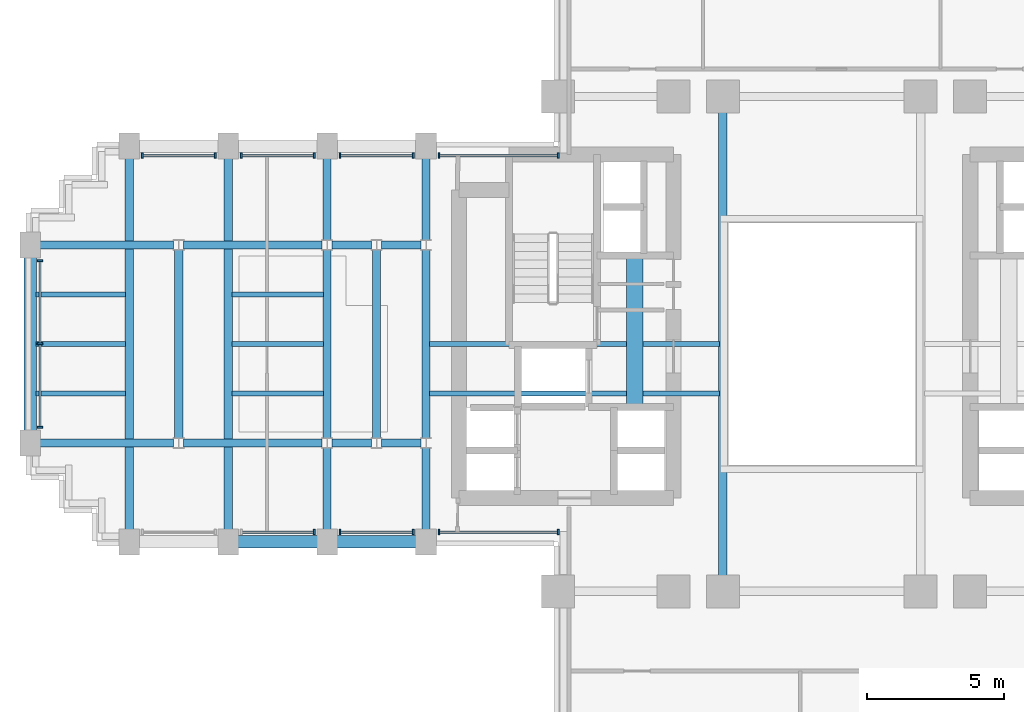
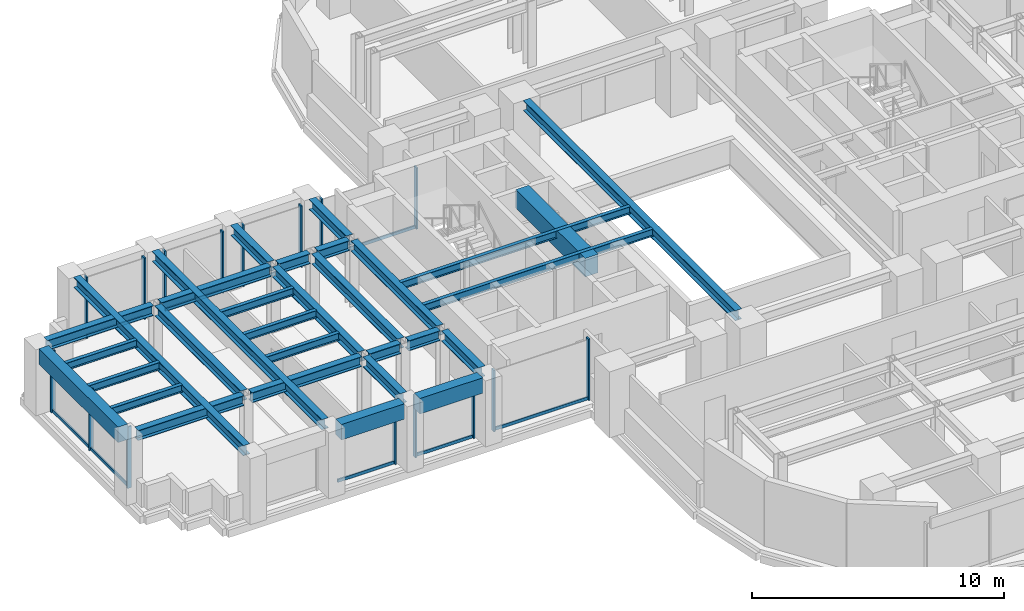
# One storey, part 4 of 16: 31 beams, 25 members, 8 elements without a shape of their own.
"""IFC4 building model written with IfcOpenShell, lengths in metres."""

import ifcopenshell
import ifcopenshell.guid

model = None  # the IFC model being written
_history = None  # IfcOwnerHistory: only IFC2X3 demands one
_inside = {}  # id of a spatial element -> (the spatial element, [elements in it])
_under = {}  # id of a project, library or spatial element -> (it, [spatial elements below it])
_declared = {}  # id of a project -> (the project, [libraries it declares])
_typed = {}  # id of a type object -> (the type object, [elements of that type])
_made_of = {}  # id of a material, layer set ... -> (it, [elements and type objects made of it])


def new_model(schema):
    """Start an empty IFC model of exactly this schema.

    Asked for "IFC4X3", IfcOpenShell would pick the latest addendum, in which some entities
    have other attributes; the version numbers below select the first issue.
    IFC2X3 requires an IfcOwnerHistory on every rooted entity: one is made here for all.
    """
    global model, _history
    if schema == "IFC4X3":
        model = ifcopenshell.file(schema_version=(4, 3, 0, 0))
    else:
        model = ifcopenshell.file(schema=schema)
    _inside.clear()
    _under.clear()
    _declared.clear()
    _typed.clear()
    _made_of.clear()
    _history = None
    if model.schema == "IFC2X3":
        org = make("IfcOrganization", Name="unknown")
        user = make(
            "IfcPersonAndOrganization",
            ThePerson=make("IfcPerson", FamilyName="unknown"),
            TheOrganization=org,
        )
        app = make(
            "IfcApplication",
            ApplicationDeveloper=org,
            Version="unknown",
            ApplicationFullName="unknown",
            ApplicationIdentifier="unknown",
        )
        _history = make(
            "IfcOwnerHistory",
            OwningUser=user,
            OwningApplication=app,
            ChangeAction="ADDED",
            CreationDate=0,
        )
    return model


def make(cls, **values):
    """One entity of the class cls with the attributes given. An attribute that is None is left unset."""
    return model.create_entity(
        cls, **{name: value for name, value in values.items() if value is not None}
    )


def rooted(cls, **values):
    """An entity with a GlobalId (a new one), such as an element, a storey or a relation."""
    return make(cls, GlobalId=ifcopenshell.guid.new(), OwnerHistory=_history, **values)


def si_unit(unit_type, name, prefix=None):
    """IfcSIUnit, for example si_unit("LENGTHUNIT", "METRE", prefix="MILLI")."""
    return make("IfcSIUnit", UnitType=unit_type, Prefix=prefix, Name=name)


def assignment(units):
    """IfcUnitAssignment: the units of a project."""
    return None if units is None else make("IfcUnitAssignment", Units=units)


def point(xyz):
    """IfcCartesianPoint."""
    return None if xyz is None else make("IfcCartesianPoint", Coordinates=xyz)


def direction(xyz):
    """IfcDirection."""
    return None if xyz is None else make("IfcDirection", DirectionRatios=xyz)


def frame(location, z_axis=None, x_axis=None):
    """IfcAxis2Placement3D, a coordinate frame: its origin and axes. An axis left out is left unset."""
    return make(
        "IfcAxis2Placement3D",
        Location=point(location),
        Axis=direction(z_axis),
        RefDirection=direction(x_axis),
    )


def frame_2d(location, x_axis=None):
    """IfcAxis2Placement2D, a coordinate frame in the plane: its origin and x axis."""
    return make(
        "IfcAxis2Placement2D", Location=point(location), RefDirection=direction(x_axis)
    )


def origin():
    """The frame at (0, 0, 0) with its axes left unset."""
    return frame((0.0, 0.0, 0.0))


def origin_2d():
    """The frame at (0, 0) in the plane with its x axis left unset."""
    return frame_2d((0.0, 0.0))


def place(relative_to, where):
    """IfcLocalPlacement: puts the frame where relative to a parent placement (None: the world)."""
    return make(
        "IfcLocalPlacement", PlacementRelTo=relative_to, RelativePlacement=where
    )


def context(
    kind, dimensions, precision=None, world=None, true_north=None, identifier=None
):
    """IfcGeometricRepresentationContext, for example the 3D "Model" context."""
    return make(
        "IfcGeometricRepresentationContext",
        ContextIdentifier=identifier,
        ContextType=kind,
        CoordinateSpaceDimension=dimensions,
        Precision=precision,
        WorldCoordinateSystem=world,
        TrueNorth=true_north,
    )


def subcontext(parent, identifier, kind, view, scale=None):
    """IfcGeometricRepresentationSubContext, for example "Body" below "Model"."""
    return make(
        "IfcGeometricRepresentationSubContext",
        ContextIdentifier=identifier,
        ContextType=kind,
        ParentContext=parent,
        TargetScale=scale,
        TargetView=view,
    )


def project(units=None, contexts=None):
    """IfcProject with its units and contexts."""
    return rooted(
        "IfcProject",
        Name="project",
        RepresentationContexts=contexts,
        UnitsInContext=assignment(units),
    )


def spatial(cls, under=None, at=None, **own):
    """A site, building, storey or space (cls), placed at a placement, below another one or the project."""
    s = rooted(cls, ObjectPlacement=at, **own)
    if under is not None:
        _under.setdefault(under.id(), (under, []))[1].append(s)
    return s


def profile(cls, at=None, kind="AREA", **sizes):
    """A parametric profile (cls). Its sizes go by their IFC names, for example OverallWidth=200.0."""
    return make(cls, ProfileType=kind, Position=at, **sizes)


def rectangle(**sizes):
    """IfcRectangleProfileDef."""
    return profile("IfcRectangleProfileDef", **sizes)


def i_section(**sizes):
    """IfcIShapeProfileDef."""
    return profile("IfcIShapeProfileDef", **sizes)


def extrude(swept, where, along, depth):
    """IfcExtrudedAreaSolid: the profile swept, set in the frame where, extruded along a direction by depth."""
    return make(
        "IfcExtrudedAreaSolid",
        SweptArea=swept,
        Position=where,
        ExtrudedDirection=direction(along),
        Depth=depth,
    )


def shape(context_of_items, identifier, shape_type, items):
    """IfcShapeRepresentation: the items that make up one representation, for example the "Body"."""
    return make(
        "IfcShapeRepresentation",
        ContextOfItems=context_of_items,
        RepresentationIdentifier=identifier,
        RepresentationType=shape_type,
        Items=items,
    )


def source(mapping_origin, context_of_items, identifier, shape_type, items):
    """IfcRepresentationMap: a shape defined once, which mapped items show again and again."""
    return make(
        "IfcRepresentationMap",
        MappingOrigin=mapping_origin,
        MappedRepresentation=shape(context_of_items, identifier, shape_type, items),
    )


def transform(
    local_origin,
    x_axis=None,
    y_axis=None,
    z_axis=None,
    scale=None,
    scale2=None,
    scale3=None,
    uniform=True,
):
    """IfcCartesianTransformationOperator3D, or its non-uniform kind. x_axis, y_axis, z_axis: its Axis1, 2, 3."""
    if uniform:
        return make(
            "IfcCartesianTransformationOperator3D",
            Axis1=direction(x_axis),
            Axis2=direction(y_axis),
            LocalOrigin=point(local_origin),
            Scale=scale,
            Axis3=direction(z_axis),
        )
    return make(
        "IfcCartesianTransformationOperator3DnonUniform",
        Axis1=direction(x_axis),
        Axis2=direction(y_axis),
        LocalOrigin=point(local_origin),
        Scale=scale,
        Axis3=direction(z_axis),
        Scale2=scale2,
        Scale3=scale3,
    )


def mapped(mapping_source, mapping_target):
    """IfcMappedItem: shows the shape of a source again, moved by a transform."""
    return make(
        "IfcMappedItem", MappingSource=mapping_source, MappingTarget=mapping_target
    )


def material(Name=None, Category=None):
    """IfcMaterial."""
    return make("IfcMaterial", Name=Name, Category=Category)


def material_profile(
    of_material, cross_section, Name=None, Category=None, Priority=None
):
    """IfcMaterialProfile: a cross section and its material."""
    return make(
        "IfcMaterialProfile",
        Name=Name,
        Material=of_material,
        Profile=cross_section,
        Priority=Priority,
        Category=Category,
    )


def profile_set(profiles, Name=None, composite=None):
    """IfcMaterialProfileSet."""
    return make(
        "IfcMaterialProfileSet",
        Name=Name,
        MaterialProfiles=profiles,
        CompositeProfile=composite,
    )


def made_of(thing, what):
    """Note that an element or type object is made of a material, layer set ...; save() writes the relation."""
    if what is not None:
        _made_of.setdefault(what.id(), (what, []))[1].append(thing)
    return thing


def type_object(cls, material=None, **own):
    """A type object (cls), such as IfcWallType, which elements share."""
    return made_of(rooted(cls, **own), material)


def element(
    cls,
    number,
    at=None,
    inside=None,
    cuts=None,
    type_object=None,
    material=None,
    context=None,
    identifier="Body",
    shape_type=None,
    held_by="IfcProductDefinitionShape",
    body=None,
    shapes=None,
    **own,
):
    """One element of the class cls, such as IfcWall. Its Tag is "e" and its number.

    at: its placement. inside: the storey or other place that contains it. cuts: it is an
    opening in that element (IfcRelVoidsElement). A single representation is given by context,
    identifier, shape_type and body (its items); several are given by shapes. held_by: the class
    of the entity that holds the representations. save() writes the other relations.
    """
    e = rooted(cls, Tag="e%d" % number, ObjectPlacement=at, **own)
    if body is not None:
        shapes = [shape(context, identifier, shape_type, body)]
    if shapes is not None:
        e.Representation = make(held_by, Representations=shapes)
    if inside is not None:
        _inside.setdefault(inside.id(), (inside, []))[1].append(e)
    if cuts is not None:
        rooted(
            "IfcRelVoidsElement", RelatingBuildingElement=cuts, RelatedOpeningElement=e
        )
    if type_object is not None:
        _typed.setdefault(type_object.id(), (type_object, []))[1].append(e)
    return made_of(e, material)


def aggregate(whole, parts):
    """IfcRelAggregates: a whole, such as a stair, and the parts it consists of."""
    return rooted("IfcRelAggregates", RelatingObject=whole, RelatedObjects=parts)


def save(model, path):
    """Write the relations noted so far, then the file.

    IfcRelAggregates (storeys below a building ...), IfcRelContainedInSpatialStructure (elements
    in a storey), IfcRelDefinesByType, IfcRelAssociatesMaterial and IfcRelDeclares: one each for
    every whole, place, type object, material and project.
    """
    for whole, parts in _under.values():
        aggregate(whole, parts)
    for where, things in _inside.values():
        rooted(
            "IfcRelContainedInSpatialStructure",
            RelatedElements=things,
            RelatingStructure=where,
        )
    for kind, things in _typed.values():
        rooted("IfcRelDefinesByType", RelatedObjects=things, RelatingType=kind)
    for what, things in _made_of.values():
        rooted("IfcRelAssociatesMaterial", RelatedObjects=things, RelatingMaterial=what)
    for by, libraries in _declared.values():
        rooted("IfcRelDeclares", RelatingContext=by, RelatedDefinitions=libraries)
    model.write(path)


model = new_model("IFC4")

# Units and contexts
model_context = context("Model", 3, precision=1e-05, world=origin(), true_north=direction((0.0, 1.0)))
body_context = subcontext(model_context, "Body", "Model", "MODEL_VIEW")
ifc_project = project(units=[si_unit("LENGTHUNIT", "METRE"), si_unit("AREAUNIT", "SQUARE_METRE"), si_unit("VOLUMEUNIT", "CUBIC_METRE"), si_unit("PLANEANGLEUNIT", "RADIAN"), si_unit("MASSUNIT", "GRAM", prefix="KILO")], contexts=[model_context])

# Site, building, storey
site_placement = place(None, origin())
site = spatial("IfcSite", under=ifc_project, at=site_placement, CompositionType="ELEMENT")
building_placement = place(site_placement, origin())
building = spatial("IfcBuilding", under=site, at=building_placement, Name="Keilestroom Media Tower", CompositionType="ELEMENT")
storey_placement = place(building_placement, frame((0.0, 0.0, 81.60009765625)))
storey = spatial("IfcBuildingStorey", under=building, at=storey_placement, Name="L21", CompositionType="ELEMENT", Elevation=81.60009765625)

# Beams
ifc_material_1 = material(Name="Concrete C70/85", Category="concrete")
ifc_material_profile_1 = material_profile(ifc_material_1, rectangle(XDim=0.60009765625, YDim=0.89990234375, at=origin_2d()), Name="RC 600x900")
ifc_profile_set_1 = profile_set([ifc_material_profile_1], Name="Concrete C70/85")
beam_type_1 = type_object("IfcBeamType", Name="Core-Coupling-Lintel-Beam-RC-600x900", PredefinedType="LINTEL", material=ifc_profile_set_1)
shared_shape_1 = source(origin(), body_context, "Body", "SweptSolid", [
    extrude(rectangle(XDim=0.60009765625, YDim=0.89990234375, at=origin_2d()), origin(), (0.0, 0.0, 1.0), 5.52001953125),
])
beam_1_placement = place(storey_placement, frame((-6.800048828125, -2.300048828125, 2.75), z_axis=(0.0, 1.0, 0.0), x_axis=(-1.0, 0.0, 0.0)))
element("IfcBeam", 1, at=beam_1_placement, inside=storey, type_object=beam_type_1, Name="L21 Beam CLB-1 CLB-L21-W", PredefinedType="LINTEL", context=body_context, shape_type="MappedRepresentation", body=[
    mapped(shared_shape_1, transform((0.0, 0.0, 0.0), x_axis=(1.0, 0.0, 0.0), y_axis=(0.0, 1.0, 0.0), z_axis=(0.0, 0.0, 1.0), scale=1.0)),
])
ifc_material_2 = material(Name="Precast concrete C40/50", Category="concrete")
ifc_material_profile_2 = material_profile(ifc_material_2, rectangle(XDim=0.449951171875, YDim=0.75, at=origin_2d()), Name="PC 450x750")
ifc_profile_set_2 = profile_set([ifc_material_profile_2], Name="Precast concrete C40/50")
beam_type_2 = type_object("IfcBeamType", Name="Perimeter-Spandrel-Beam-PC-450x750", PredefinedType="SPANDREL", material=ifc_profile_set_2)
shared_shape_2 = source(origin(), body_context, "Body", "SweptSolid", [
    extrude(rectangle(XDim=0.449951171875, YDim=0.75, at=origin_2d()), origin(), (0.0, 0.0, 1.0), 6.2900390625),
])
beam_2_placement = place(storey_placement, frame((-28.800048828125, -3.14501953125, 2.824951171875), z_axis=(0.0, 1.0, 0.0), x_axis=(-1.0, 0.0, 0.0)))
element("IfcBeam", 2, at=beam_2_placement, inside=storey, type_object=beam_type_2, Name="L21 Beam SPB-1 BM-L21-NS-051", PredefinedType="SPANDREL", context=body_context, shape_type="MappedRepresentation", body=[
    mapped(shared_shape_2, transform((0.0, 0.0, 0.0), x_axis=(1.0, 0.0, 0.0), y_axis=(0.0, 1.0, 0.0), z_axis=(0.0, 0.0, 1.0), scale=1.0)),
])
shared_shape_3 = source(origin(), body_context, "Body", "SweptSolid", [
    extrude(rectangle(XDim=0.449951171875, YDim=0.75, at=origin_2d()), origin(), (0.0, 0.0, 1.0), 2.89013671875),
])
for number, where, z_axis, x_axis, name in (
    (3, (-21.2451171875, -7.199951171875, 2.824951171875), (1.0, 0.0, 0.0), (0.0, 1.0, 0.0), "L21 Beam SPB-1 BM-L21-EW-013"),
    (4, (-17.64501953125, -7.199951171875, 2.824951171875), (1.0, 0.0, 0.0), (0.0, 1.0, 0.0), "L21 Beam SPB-1 BM-L21-EW-014"),
):
    element("IfcBeam", number, at=place(storey_placement, frame(where, z_axis=z_axis, x_axis=x_axis)), inside=storey, type_object=beam_type_2, Name=name, PredefinedType="SPANDREL", context=body_context, shape_type="MappedRepresentation", body=[
        mapped(shared_shape_3, transform((0.0, 0.0, 0.0), x_axis=(1.0, 0.0, 0.0), y_axis=(0.0, 1.0, 0.0), z_axis=(0.0, 0.0, 1.0), scale=1.0)),
    ])
ifc_material_3 = material(Name="Steel S355", Category="steel")
ifc_material_profile_3 = material_profile(ifc_material_3, i_section(OverallWidth=0.300048828125, OverallDepth=0.5, WebThickness=0.012451171875, FlangeThickness=0.028076171875, at=origin_2d()), Name="HEB 500")
ifc_profile_set_3 = profile_set([ifc_material_profile_3], Name="Steel S355")
beam_type_3 = type_object("IfcBeamType", Name="Primary-Structural-Girder-HEB-500", PredefinedType="BEAM", material=ifc_profile_set_3)
shared_shape_4 = source(origin(), body_context, "Body", "SweptSolid", [
    extrude(i_section(OverallWidth=0.300048828125, OverallDepth=0.5, WebThickness=0.012451171875, FlangeThickness=0.028076171875, at=origin_2d()), origin(), (0.0, 0.0, 1.0), 13.490234375),
])
for number, where, z_axis, x_axis, name in (
    (5, (-25.199951171875, -6.7451171875, 2.949951171875), (0.0, 1.0, 0.0), (-1.0, 0.0, 0.0), "L21 Beam BG-6 BM-L21-NS-052"),
    (6, (-21.60009765625, -6.7451171875, 2.949951171875), (0.0, 1.0, 0.0), (-1.0, 0.0, 0.0), "L21 Beam BG-6 BM-L21-NS-054"),
):
    element("IfcBeam", number, at=place(storey_placement, frame(where, z_axis=z_axis, x_axis=x_axis)), inside=storey, type_object=beam_type_3, Name=name, PredefinedType="BEAM", context=body_context, shape_type="MappedRepresentation", body=[
        mapped(shared_shape_4, transform((0.0, 0.0, 0.0), x_axis=(1.0, 0.0, 0.0), y_axis=(0.0, 1.0, 0.0), z_axis=(0.0, 0.0, 1.0), scale=1.0)),
    ])
shared_shape_5 = source(origin(), body_context, "Body", "SweptSolid", [
    extrude(i_section(OverallWidth=0.300048828125, OverallDepth=0.5, WebThickness=0.012451171875, FlangeThickness=0.028076171875, at=origin_2d()), origin(), (0.0, 0.0, 1.0), 6.8330078125),
])
for number, where, z_axis, x_axis, name in (
    (7, (-23.39990234375, -3.41650390625, 2.949951171875), (0.0, 1.0, 0.0), (-1.0, 0.0, 0.0), "L21 Beam BG-6 BM-L21-NS-053"),
    (8, (-18.0, -3.41650390625, 2.949951171875), (0.0, 1.0, 0.0), (-1.0, 0.0, 0.0), "L21 Beam BG-6 BM-L21-NS-056"),
    (9, (-16.199951171875, -3.41650390625, 2.949951171875), (0.0, 1.0, 0.0), (-1.0, 0.0, 0.0), "L21 Beam BG-6 BM-L21-NS-058"),
    (10, (-14.39990234375, -3.41650390625, 2.949951171875), (0.0, 1.0, 0.0), (-1.0, 0.0, 0.0), "L21 Beam BG-6 BM-L21-NS-060"),
):
    element("IfcBeam", number, at=place(storey_placement, frame(where, z_axis=z_axis, x_axis=x_axis)), inside=storey, type_object=beam_type_3, Name=name, PredefinedType="BEAM", context=body_context, shape_type="MappedRepresentation", body=[
        mapped(shared_shape_5, transform((0.0, 0.0, 0.0), x_axis=(1.0, 0.0, 0.0), y_axis=(0.0, 1.0, 0.0), z_axis=(0.0, 0.0, 1.0), scale=1.0)),
    ])
shared_shape_6 = source(origin(), body_context, "Body", "SweptSolid", [
    extrude(i_section(OverallWidth=0.300048828125, OverallDepth=0.5, WebThickness=0.012451171875, FlangeThickness=0.028076171875, at=origin_2d()), origin(), (0.0, 0.0, 1.0), 2.961669921875),
])
for number, where, z_axis, x_axis, name in (
    (11, (-18.0, -6.7451171875, 2.949951171875), (0.0, 1.0, 0.0), (-1.0, 0.0, 0.0), "L21 Beam BG-6 BM-L21-NS-055"),
    (12, (-18.0, 3.783447265625, 2.949951171875), (0.0, 1.0, 0.0), (-1.0, 0.0, 0.0), "L21 Beam BG-6 BM-L21-NS-057"),
    (13, (-14.39990234375, -6.7451171875, 2.949951171875), (0.0, 1.0, 0.0), (-1.0, 0.0, 0.0), "L21 Beam BG-6 BM-L21-NS-059"),
    (14, (-14.39990234375, 3.783447265625, 2.949951171875), (0.0, 1.0, 0.0), (-1.0, 0.0, 0.0), "L21 Beam BG-6 BM-L21-NS-061"),
):
    element("IfcBeam", number, at=place(storey_placement, frame(where, z_axis=z_axis, x_axis=x_axis)), inside=storey, type_object=beam_type_3, Name=name, PredefinedType="BEAM", context=body_context, shape_type="MappedRepresentation", body=[
        mapped(shared_shape_6, transform((0.0, 0.0, 0.0), x_axis=(1.0, 0.0, 0.0), y_axis=(0.0, 1.0, 0.0), z_axis=(0.0, 0.0, 1.0), scale=1.0)),
    ])
shared_shape_7 = source(origin(), body_context, "Body", "SweptSolid", [
    extrude(i_section(OverallWidth=0.300048828125, OverallDepth=0.5, WebThickness=0.012451171875, FlangeThickness=0.028076171875, at=origin_2d()), origin(), (0.0, 0.0, 1.0), 16.83984375),
])
beam_3_placement = place(storey_placement, frame((-3.60009765625, -8.419921875, 2.949951171875), z_axis=(0.0, 1.0, 0.0), x_axis=(-1.0, 0.0, 0.0)))
element("IfcBeam", 15, at=beam_3_placement, inside=storey, type_object=beam_type_3, Name="L21 Beam BG-6 BM-L21-NS-066", PredefinedType="BEAM", context=body_context, shape_type="MappedRepresentation", body=[
    mapped(shared_shape_7, transform((0.0, 0.0, 0.0), x_axis=(1.0, 0.0, 0.0), y_axis=(0.0, 1.0, 0.0), z_axis=(0.0, 0.0, 1.0), scale=1.0)),
])
ifc_material_profile_4 = material_profile(ifc_material_3, i_section(OverallWidth=0.300048828125, OverallDepth=0.489990234375, WebThickness=0.011962890625, FlangeThickness=0.02294921875, at=origin_2d()), Name="HEA 500")
ifc_profile_set_4 = profile_set([ifc_material_profile_4], Name="Steel S355")
beam_type_4 = type_object("IfcBeamType", Name="Primary-Structural-Girder-HEA-500", PredefinedType="BEAM", material=ifc_profile_set_4)
shared_shape_8 = source(origin(), body_context, "Body", "SweptSolid", [
    extrude(i_section(OverallWidth=0.300048828125, OverallDepth=0.489990234375, WebThickness=0.011962890625, FlangeThickness=0.02294921875, at=origin_2d()), origin(), (0.0, 0.0, 1.0), 4.863037109375),
])
for number, where, z_axis, x_axis, name in (
    (16, (-28.445068359375, -3.60009765625, 2.954833984375), (1.0, 0.0, 0.0), (0.0, 1.0, 0.0), "L21 Beam BG-10 BM-L21-EW-018"),
    (17, (-28.445068359375, 3.60009765625, 2.954833984375), (1.0, 0.0, 0.0), (0.0, 1.0, 0.0), "L21 Beam BG-10 BM-L21-EW-026"),
):
    element("IfcBeam", number, at=place(storey_placement, frame(where, z_axis=z_axis, x_axis=x_axis)), inside=storey, type_object=beam_type_4, Name=name, PredefinedType="BEAM", context=body_context, shape_type="MappedRepresentation", body=[
        mapped(shared_shape_8, transform((0.0, 0.0, 0.0), x_axis=(1.0, 0.0, 0.0), y_axis=(0.0, 1.0, 0.0), z_axis=(0.0, 0.0, 1.0), scale=1.0)),
    ])
shared_shape_9 = source(origin(), body_context, "Body", "SweptSolid", [
    extrude(i_section(OverallWidth=0.300048828125, OverallDepth=0.489990234375, WebThickness=0.011962890625, FlangeThickness=0.02294921875, at=origin_2d()), origin(), (0.0, 0.0, 1.0), 5.0361328125),
])
for number, where, z_axis, x_axis, name in (
    (18, (-23.218017578125, -3.60009765625, 2.954833984375), (1.0, 0.0, 0.0), (0.0, 1.0, 0.0), "L21 Beam BG-10 BM-L21-EW-019"),
    (19, (-23.218017578125, 3.60009765625, 2.954833984375), (1.0, 0.0, 0.0), (0.0, 1.0, 0.0), "L21 Beam BG-10 BM-L21-EW-027"),
):
    element("IfcBeam", number, at=place(storey_placement, frame(where, z_axis=z_axis, x_axis=x_axis)), inside=storey, type_object=beam_type_4, Name=name, PredefinedType="BEAM", context=body_context, shape_type="MappedRepresentation", body=[
        mapped(shared_shape_9, transform((0.0, 0.0, 0.0), x_axis=(1.0, 0.0, 0.0), y_axis=(0.0, 1.0, 0.0), z_axis=(0.0, 0.0, 1.0), scale=1.0)),
    ])
shared_shape_10 = source(origin(), body_context, "Body", "SweptSolid", [
    extrude(i_section(OverallWidth=0.300048828125, OverallDepth=0.489990234375, WebThickness=0.011962890625, FlangeThickness=0.02294921875, at=origin_2d()), origin(), (0.0, 0.0, 1.0), 1.43603515625),
])
for number, where, z_axis, x_axis, name in (
    (20, (-17.818115234375, -3.60009765625, 2.954833984375), (1.0, 0.0, 0.0), (0.0, 1.0, 0.0), "L21 Beam BG-10 BM-L21-EW-020"),
    (21, (-16.01806640625, -3.60009765625, 2.954833984375), (1.0, 0.0, 0.0), (0.0, 1.0, 0.0), "L21 Beam BG-10 BM-L21-EW-021"),
    (22, (-17.818115234375, 3.60009765625, 2.954833984375), (1.0, 0.0, 0.0), (0.0, 1.0, 0.0), "L21 Beam BG-10 BM-L21-EW-028"),
    (23, (-16.01806640625, 3.60009765625, 2.954833984375), (1.0, 0.0, 0.0), (0.0, 1.0, 0.0), "L21 Beam BG-10 BM-L21-EW-029"),
):
    element("IfcBeam", number, at=place(storey_placement, frame(where, z_axis=z_axis, x_axis=x_axis)), inside=storey, type_object=beam_type_4, Name=name, PredefinedType="BEAM", context=body_context, shape_type="MappedRepresentation", body=[
        mapped(shared_shape_10, transform((0.0, 0.0, 0.0), x_axis=(1.0, 0.0, 0.0), y_axis=(0.0, 1.0, 0.0), z_axis=(0.0, 0.0, 1.0), scale=1.0)),
    ])
ifc_material_profile_5 = material_profile(ifc_material_3, i_section(OverallWidth=0.169921875, OverallDepth=0.360107421875, WebThickness=0.008056640625, FlangeThickness=0.0126953125, at=origin_2d()), Name="IPE 360")
ifc_profile_set_5 = profile_set([ifc_material_profile_5], Name="Steel S355")
beam_type_5 = type_object("IfcBeamType", Name="Secondary-Floor-Joist-IPE-360", PredefinedType="JOIST", material=ifc_profile_set_5)
shared_shape_11 = source(origin(), body_context, "Body", "SweptSolid", [
    extrude(i_section(OverallWidth=0.169921875, OverallDepth=0.360107421875, WebThickness=0.008056640625, FlangeThickness=0.0126953125, at=origin_2d()), origin(), (0.0, 0.0, 1.0), 3.264892578125),
])
for number, where, z_axis, x_axis, name in (
    (24, (-28.594970703125, -1.800048828125, 3.02001953125), (1.0, 0.0, 0.0), (0.0, 1.0, 0.0), "L21 Beam BJ-5 JST-L21-089"),
    (25, (-28.594970703125, 0.0, 3.02001953125), (1.0, 0.0, 0.0), (0.0, 1.0, 0.0), "L21 Beam BJ-5 JST-L21-096"),
    (26, (-28.594970703125, 1.800048828125, 3.02001953125), (1.0, 0.0, 0.0), (0.0, 1.0, 0.0), "L21 Beam BJ-5 JST-L21-103"),
):
    element("IfcBeam", number, at=place(storey_placement, frame(where, z_axis=z_axis, x_axis=x_axis)), inside=storey, type_object=beam_type_5, Name=name, PredefinedType="JOIST", context=body_context, shape_type="MappedRepresentation", body=[
        mapped(shared_shape_11, transform((0.0, 0.0, 0.0), x_axis=(1.0, 0.0, 0.0), y_axis=(0.0, 1.0, 0.0), z_axis=(0.0, 0.0, 1.0), scale=1.0)),
    ])
shared_shape_12 = source(origin(), body_context, "Body", "SweptSolid", [
    extrude(i_section(OverallWidth=0.169921875, OverallDepth=0.360107421875, WebThickness=0.008056640625, FlangeThickness=0.0126953125, at=origin_2d()), origin(), (0.0, 0.0, 1.0), 3.340087890625),
])
for number, where, z_axis, x_axis, name in (
    (27, (-21.469970703125, -1.800048828125, 3.02001953125), (1.0, 0.0, 0.0), (0.0, 1.0, 0.0), "L21 Beam BJ-5 JST-L21-090"),
    (28, (-21.469970703125, 0.0, 3.02001953125), (1.0, 0.0, 0.0), (0.0, 1.0, 0.0), "L21 Beam BJ-5 JST-L21-097"),
    (29, (-21.469970703125, 1.800048828125, 3.02001953125), (1.0, 0.0, 0.0), (0.0, 1.0, 0.0), "L21 Beam BJ-5 JST-L21-104"),
):
    element("IfcBeam", number, at=place(storey_placement, frame(where, z_axis=z_axis, x_axis=x_axis)), inside=storey, type_object=beam_type_5, Name=name, PredefinedType="JOIST", context=body_context, shape_type="MappedRepresentation", body=[
        mapped(shared_shape_12, transform((0.0, 0.0, 0.0), x_axis=(1.0, 0.0, 0.0), y_axis=(0.0, 1.0, 0.0), z_axis=(0.0, 0.0, 1.0), scale=1.0)),
    ])
shared_shape_13 = source(origin(), body_context, "Body", "SweptSolid", [
    extrude(i_section(OverallWidth=0.169921875, OverallDepth=0.360107421875, WebThickness=0.008056640625, FlangeThickness=0.0126953125, at=origin_2d()), origin(), (0.0, 0.0, 1.0), 10.5400390625),
])
for number, where, z_axis, x_axis, name in (
    (30, (-14.27001953125, -1.800048828125, 3.02001953125), (1.0, 0.0, 0.0), (0.0, 1.0, 0.0), "L21 Beam BJ-5 JST-L21-091"),
    (31, (-14.27001953125, 0.0, 3.02001953125), (1.0, 0.0, 0.0), (0.0, 1.0, 0.0), "L21 Beam BJ-5 JST-L21-098"),
):
    element("IfcBeam", number, at=place(storey_placement, frame(where, z_axis=z_axis, x_axis=x_axis)), inside=storey, type_object=beam_type_5, Name=name, PredefinedType="JOIST", context=body_context, shape_type="MappedRepresentation", body=[
        mapped(shared_shape_13, transform((0.0, 0.0, 0.0), x_axis=(1.0, 0.0, 0.0), y_axis=(0.0, 1.0, 0.0), z_axis=(0.0, 0.0, 1.0), scale=1.0)),
    ])

# Curtain wall, members
ifc_material_4 = material(Name="Anodised Aluminium Alloy", Category="aluminium")
curtain_wall_type = type_object("IfcCurtainWallType", Name="Unitised-Curtain-Wall-CW-1", PredefinedType="NOTDEFINED", material=ifc_material_4)
curtain_wall_1_placement = place(storey_placement, origin())
curtain_wall_1 = element("IfcCurtainWall", 32, at=curtain_wall_1_placement, inside=storey, type_object=curtain_wall_type, Name="L21 Curtain Wall CW-1 CW-L21-W-1", PredefinedType="NOTDEFINED")
ifc_material_profile_6 = material_profile(ifc_material_4, rectangle(XDim=0.070068359375, YDim=0.199951171875, at=origin_2d()), Name="ALU MULLION 70x200")
ifc_profile_set_6 = profile_set([ifc_material_profile_6], Name="Anodised Aluminium Alloy")
member_type_1 = type_object("IfcMemberType", Name="Curtain-Wall-Mullion-CW-1", PredefinedType="MULLION", material=ifc_profile_set_6)
shared_shape_14 = source(origin(), body_context, "Body", "SweptSolid", [
    extrude(rectangle(XDim=0.070068359375, YDim=0.199951171875, at=origin_2d()), origin(), (0.0, 0.0, 1.0), 2.97998046875),
])
member_1_placement = place(storey_placement, frame((-28.449951171875, -3.030029296875, 0.0), z_axis=(0.0, 0.0, 1.0), x_axis=(0.0, 1.0, 0.0)))
member_1 = element("IfcMember", 33, at=member_1_placement, type_object=member_type_1, Name="CW-1 Mullion 00", PredefinedType="MULLION", context=body_context, shape_type="MappedRepresentation", body=[
    mapped(shared_shape_14, transform((0.0, 0.0, 0.0), x_axis=(1.0, 0.0, 0.0), y_axis=(0.0, 1.0, 0.0), z_axis=(0.0, 0.0, 1.0), scale=1.0)),
])
member_2_placement = place(storey_placement, frame((-28.449951171875, 0.0, 0.0), z_axis=(0.0, 0.0, 1.0), x_axis=(0.0, 1.0, 0.0)))
member_2 = element("IfcMember", 34, at=member_2_placement, type_object=member_type_1, Name="CW-1 Mullion 01", PredefinedType="MULLION", context=body_context, shape_type="MappedRepresentation", body=[
    mapped(shared_shape_14, transform((0.0, 0.0, 0.0), x_axis=(1.0, 0.0, 0.0), y_axis=(0.0, 1.0, 0.0), z_axis=(0.0, 0.0, 1.0), scale=1.0)),
])
member_3_placement = place(storey_placement, frame((-28.449951171875, 3.030029296875, 0.0), z_axis=(0.0, 0.0, 1.0), x_axis=(0.0, 1.0, 0.0)))
member_3 = element("IfcMember", 35, at=member_3_placement, type_object=member_type_1, Name="CW-1 Mullion 02", PredefinedType="MULLION", context=body_context, shape_type="MappedRepresentation", body=[
    mapped(shared_shape_14, transform((0.0, 0.0, 0.0), x_axis=(1.0, 0.0, 0.0), y_axis=(0.0, 1.0, 0.0), z_axis=(0.0, 0.0, 1.0), scale=1.0)),
])

curtain_wall_2_placement = place(storey_placement, origin())
curtain_wall_2 = element("IfcCurtainWall", 36, at=curtain_wall_2_placement, inside=storey, type_object=curtain_wall_type, Name="L21 Curtain Wall CW-1 CW-L21-NW-1", PredefinedType="NOTDEFINED")
member_4_placement = place(storey_placement, frame((-24.72998046875, 6.85009765625, 0.0), z_axis=(0.0, 0.0, 1.0), x_axis=(1.0, 0.0, 0.0)))
member_4 = element("IfcMember", 37, at=member_4_placement, type_object=member_type_1, Name="CW-1 Mullion 00", PredefinedType="MULLION", context=body_context, shape_type="MappedRepresentation", body=[
    mapped(shared_shape_14, transform((0.0, 0.0, 0.0), x_axis=(1.0, 0.0, 0.0), y_axis=(0.0, 1.0, 0.0), z_axis=(0.0, 0.0, 1.0), scale=1.0)),
])
member_5_placement = place(storey_placement, frame((-22.070068359375, 6.85009765625, 0.0), z_axis=(0.0, 0.0, 1.0), x_axis=(1.0, 0.0, 0.0)))
member_5 = element("IfcMember", 38, at=member_5_placement, type_object=member_type_1, Name="CW-1 Mullion 01", PredefinedType="MULLION", context=body_context, shape_type="MappedRepresentation", body=[
    mapped(shared_shape_14, transform((0.0, 0.0, 0.0), x_axis=(1.0, 0.0, 0.0), y_axis=(0.0, 1.0, 0.0), z_axis=(0.0, 0.0, 1.0), scale=1.0)),
])

curtain_wall_3_placement = place(storey_placement, origin())
curtain_wall_3 = element("IfcCurtainWall", 39, at=curtain_wall_3_placement, inside=storey, type_object=curtain_wall_type, Name="L21 Curtain Wall CW-1 CW-L21-NW-2", PredefinedType="NOTDEFINED")
member_6_placement = place(storey_placement, frame((-21.1298828125, 6.85009765625, 0.0), z_axis=(0.0, 0.0, 1.0), x_axis=(1.0, 0.0, 0.0)))
member_6 = element("IfcMember", 40, at=member_6_placement, type_object=member_type_1, Name="CW-1 Mullion 00", PredefinedType="MULLION", context=body_context, shape_type="MappedRepresentation", body=[
    mapped(shared_shape_14, transform((0.0, 0.0, 0.0), x_axis=(1.0, 0.0, 0.0), y_axis=(0.0, 1.0, 0.0), z_axis=(0.0, 0.0, 1.0), scale=1.0)),
])
member_7_placement = place(storey_placement, frame((-18.469970703125, 6.85009765625, 0.0), z_axis=(0.0, 0.0, 1.0), x_axis=(1.0, 0.0, 0.0)))
member_7 = element("IfcMember", 41, at=member_7_placement, type_object=member_type_1, Name="CW-1 Mullion 01", PredefinedType="MULLION", context=body_context, shape_type="MappedRepresentation", body=[
    mapped(shared_shape_14, transform((0.0, 0.0, 0.0), x_axis=(1.0, 0.0, 0.0), y_axis=(0.0, 1.0, 0.0), z_axis=(0.0, 0.0, 1.0), scale=1.0)),
])

curtain_wall_4_placement = place(storey_placement, origin())
curtain_wall_4 = element("IfcCurtainWall", 42, at=curtain_wall_4_placement, inside=storey, type_object=curtain_wall_type, Name="L21 Curtain Wall CW-1 CW-L21-NW-3", PredefinedType="NOTDEFINED")
member_8_placement = place(storey_placement, frame((-17.530029296875, 6.85009765625, 0.0), z_axis=(0.0, 0.0, 1.0), x_axis=(1.0, 0.0, 0.0)))
member_8 = element("IfcMember", 43, at=member_8_placement, type_object=member_type_1, Name="CW-1 Mullion 00", PredefinedType="MULLION", context=body_context, shape_type="MappedRepresentation", body=[
    mapped(shared_shape_14, transform((0.0, 0.0, 0.0), x_axis=(1.0, 0.0, 0.0), y_axis=(0.0, 1.0, 0.0), z_axis=(0.0, 0.0, 1.0), scale=1.0)),
])
member_9_placement = place(storey_placement, frame((-14.8701171875, 6.85009765625, 0.0), z_axis=(0.0, 0.0, 1.0), x_axis=(1.0, 0.0, 0.0)))
member_9 = element("IfcMember", 44, at=member_9_placement, type_object=member_type_1, Name="CW-1 Mullion 01", PredefinedType="MULLION", context=body_context, shape_type="MappedRepresentation", body=[
    mapped(shared_shape_14, transform((0.0, 0.0, 0.0), x_axis=(1.0, 0.0, 0.0), y_axis=(0.0, 1.0, 0.0), z_axis=(0.0, 0.0, 1.0), scale=1.0)),
])

curtain_wall_5_placement = place(storey_placement, origin())
curtain_wall_5 = element("IfcCurtainWall", 45, at=curtain_wall_5_placement, inside=storey, type_object=curtain_wall_type, Name="L21 Curtain Wall CW-1 CW-L21-NW-4", PredefinedType="NOTDEFINED")
member_10_placement = place(storey_placement, frame((-13.929931640625, 6.85009765625, 0.0), z_axis=(0.0, 0.0, 1.0), x_axis=(1.0, 0.0, 0.0)))
member_10 = element("IfcMember", 46, at=member_10_placement, type_object=member_type_1, Name="CW-1 Mullion 00", PredefinedType="MULLION", context=body_context, shape_type="MappedRepresentation", body=[
    mapped(shared_shape_14, transform((0.0, 0.0, 0.0), x_axis=(1.0, 0.0, 0.0), y_axis=(0.0, 1.0, 0.0), z_axis=(0.0, 0.0, 1.0), scale=1.0)),
])
member_11_placement = place(storey_placement, frame((-9.5849609375, 6.85009765625, 0.0), z_axis=(0.0, 0.0, 1.0), x_axis=(1.0, 0.0, 0.0)))
member_11 = element("IfcMember", 47, at=member_11_placement, type_object=member_type_1, Name="CW-1 Mullion 01", PredefinedType="MULLION", context=body_context, shape_type="MappedRepresentation", body=[
    mapped(shared_shape_14, transform((0.0, 0.0, 0.0), x_axis=(1.0, 0.0, 0.0), y_axis=(0.0, 1.0, 0.0), z_axis=(0.0, 0.0, 1.0), scale=1.0)),
])

# Curtain wall, member
curtain_wall_6_placement = place(storey_placement, origin())
curtain_wall_6 = element("IfcCurtainWall", 48, at=curtain_wall_6_placement, inside=storey, type_object=curtain_wall_type, Name="L21 Curtain Wall CW-1 CW-L21-SW-2", PredefinedType="NOTDEFINED")
member_12_placement = place(storey_placement, frame((-18.469970703125, -6.85009765625, 0.0), z_axis=(0.0, 0.0, 1.0), x_axis=(1.0, 0.0, 0.0)))
member_12 = element("IfcMember", 49, at=member_12_placement, type_object=member_type_1, Name="CW-1 Mullion 01", PredefinedType="MULLION", context=body_context, shape_type="MappedRepresentation", body=[
    mapped(shared_shape_14, transform((0.0, 0.0, 0.0), x_axis=(1.0, 0.0, 0.0), y_axis=(0.0, 1.0, 0.0), z_axis=(0.0, 0.0, 1.0), scale=1.0)),
])

# Curtain wall, members
curtain_wall_7_placement = place(storey_placement, origin())
curtain_wall_7 = element("IfcCurtainWall", 50, at=curtain_wall_7_placement, inside=storey, type_object=curtain_wall_type, Name="L21 Curtain Wall CW-1 CW-L21-SW-3", PredefinedType="NOTDEFINED")
member_13_placement = place(storey_placement, frame((-17.530029296875, -6.85009765625, 0.0), z_axis=(0.0, 0.0, 1.0), x_axis=(1.0, 0.0, 0.0)))
member_13 = element("IfcMember", 51, at=member_13_placement, type_object=member_type_1, Name="CW-1 Mullion 00", PredefinedType="MULLION", context=body_context, shape_type="MappedRepresentation", body=[
    mapped(shared_shape_14, transform((0.0, 0.0, 0.0), x_axis=(1.0, 0.0, 0.0), y_axis=(0.0, 1.0, 0.0), z_axis=(0.0, 0.0, 1.0), scale=1.0)),
])
member_14_placement = place(storey_placement, frame((-14.8701171875, -6.85009765625, 0.0), z_axis=(0.0, 0.0, 1.0), x_axis=(1.0, 0.0, 0.0)))
member_14 = element("IfcMember", 52, at=member_14_placement, type_object=member_type_1, Name="CW-1 Mullion 01", PredefinedType="MULLION", context=body_context, shape_type="MappedRepresentation", body=[
    mapped(shared_shape_14, transform((0.0, 0.0, 0.0), x_axis=(1.0, 0.0, 0.0), y_axis=(0.0, 1.0, 0.0), z_axis=(0.0, 0.0, 1.0), scale=1.0)),
])

curtain_wall_8_placement = place(storey_placement, origin())
curtain_wall_8 = element("IfcCurtainWall", 53, at=curtain_wall_8_placement, inside=storey, type_object=curtain_wall_type, Name="L21 Curtain Wall CW-1 CW-L21-SW-4", PredefinedType="NOTDEFINED")
member_15_placement = place(storey_placement, frame((-13.929931640625, -6.85009765625, 0.0), z_axis=(0.0, 0.0, 1.0), x_axis=(1.0, 0.0, 0.0)))
member_15 = element("IfcMember", 54, at=member_15_placement, type_object=member_type_1, Name="CW-1 Mullion 00", PredefinedType="MULLION", context=body_context, shape_type="MappedRepresentation", body=[
    mapped(shared_shape_14, transform((0.0, 0.0, 0.0), x_axis=(1.0, 0.0, 0.0), y_axis=(0.0, 1.0, 0.0), z_axis=(0.0, 0.0, 1.0), scale=1.0)),
])
member_16_placement = place(storey_placement, frame((-9.5849609375, -6.85009765625, 0.0), z_axis=(0.0, 0.0, 1.0), x_axis=(1.0, 0.0, 0.0)))
member_16 = element("IfcMember", 55, at=member_16_placement, type_object=member_type_1, Name="CW-1 Mullion 01", PredefinedType="MULLION", context=body_context, shape_type="MappedRepresentation", body=[
    mapped(shared_shape_14, transform((0.0, 0.0, 0.0), x_axis=(1.0, 0.0, 0.0), y_axis=(0.0, 1.0, 0.0), z_axis=(0.0, 0.0, 1.0), scale=1.0)),
])

# Member
ifc_material_profile_7 = material_profile(ifc_material_4, rectangle(XDim=0.06494140625, YDim=0.14990234375, at=origin_2d()), Name="ALU TRANSOM 65x150")
ifc_profile_set_7 = profile_set([ifc_material_profile_7], Name="Anodised Aluminium Alloy")
member_type_2 = type_object("IfcMemberType", Name="Curtain-Wall-Transom-CW-1", PredefinedType="USERDEFINED", material=ifc_profile_set_7)
shared_shape_15 = source(origin(), body_context, "Body", "SweptSolid", [
    extrude(rectangle(XDim=0.06494140625, YDim=0.14990234375, at=origin_2d()), origin(), (0.0, 0.0, 1.0), 2.964111328125),
])
member_17_placement = place(storey_placement, frame((-28.449951171875, -2.9970703125, 0.074951171875), z_axis=(0.0, 1.0, 0.0), x_axis=(-1.0, 0.0, 0.0)))
member_17 = element("IfcMember", 56, at=member_17_placement, type_object=member_type_2, Name="CW-1 Transom 00.1", ObjectType="TRANSOM", PredefinedType="USERDEFINED", context=body_context, shape_type="MappedRepresentation", body=[
    mapped(shared_shape_15, transform((0.0, 0.0, 0.0), x_axis=(1.0, 0.0, 0.0), y_axis=(0.0, 1.0, 0.0), z_axis=(0.0, 0.0, 1.0), scale=1.0)),
])

member_18_placement = place(storey_placement, frame((-28.449951171875, 0.032958984375, 0.074951171875), z_axis=(0.0, 1.0, 0.0), x_axis=(-1.0, 0.0, 0.0)))
member_18 = element("IfcMember", 57, at=member_18_placement, type_object=member_type_2, Name="CW-1 Transom 01.1", ObjectType="TRANSOM", PredefinedType="USERDEFINED", context=body_context, shape_type="MappedRepresentation", body=[
    mapped(shared_shape_15, transform((0.0, 0.0, 0.0), x_axis=(1.0, 0.0, 0.0), y_axis=(0.0, 1.0, 0.0), z_axis=(0.0, 0.0, 1.0), scale=1.0)),
])

aggregate(curtain_wall_1, [member_1, member_2, member_3, member_17, member_18])

shared_shape_16 = source(origin(), body_context, "Body", "SweptSolid", [
    extrude(rectangle(XDim=0.06494140625, YDim=0.14990234375, at=origin_2d()), origin(), (0.0, 0.0, 1.0), 2.593994140625),
])
member_19_placement = place(storey_placement, frame((-24.697021484375, 6.85009765625, 0.074951171875), z_axis=(1.0, 0.0, 0.0), x_axis=(0.0, 1.0, 0.0)))
member_19 = element("IfcMember", 58, at=member_19_placement, type_object=member_type_2, Name="CW-1 Transom 00.1", ObjectType="TRANSOM", PredefinedType="USERDEFINED", context=body_context, shape_type="MappedRepresentation", body=[
    mapped(shared_shape_16, transform((0.0, 0.0, 0.0), x_axis=(1.0, 0.0, 0.0), y_axis=(0.0, 1.0, 0.0), z_axis=(0.0, 0.0, 1.0), scale=1.0)),
])

aggregate(curtain_wall_2, [member_4, member_5, member_19])

member_20_placement = place(storey_placement, frame((-21.096923828125, 6.85009765625, 0.074951171875), z_axis=(1.0, 0.0, 0.0), x_axis=(0.0, 1.0, 0.0)))
member_20 = element("IfcMember", 59, at=member_20_placement, type_object=member_type_2, Name="CW-1 Transom 00.1", ObjectType="TRANSOM", PredefinedType="USERDEFINED", context=body_context, shape_type="MappedRepresentation", body=[
    mapped(shared_shape_16, transform((0.0, 0.0, 0.0), x_axis=(1.0, 0.0, 0.0), y_axis=(0.0, 1.0, 0.0), z_axis=(0.0, 0.0, 1.0), scale=1.0)),
])

aggregate(curtain_wall_3, [member_6, member_7, member_20])

member_21_placement = place(storey_placement, frame((-17.4970703125, 6.85009765625, 0.074951171875), z_axis=(1.0, 0.0, 0.0), x_axis=(0.0, 1.0, 0.0)))
member_21 = element("IfcMember", 60, at=member_21_placement, type_object=member_type_2, Name="CW-1 Transom 00.1", ObjectType="TRANSOM", PredefinedType="USERDEFINED", context=body_context, shape_type="MappedRepresentation", body=[
    mapped(shared_shape_16, transform((0.0, 0.0, 0.0), x_axis=(1.0, 0.0, 0.0), y_axis=(0.0, 1.0, 0.0), z_axis=(0.0, 0.0, 1.0), scale=1.0)),
])

aggregate(curtain_wall_4, [member_8, member_9, member_21])

member_22_placement = place(storey_placement, frame((-21.096923828125, -6.85009765625, 0.074951171875), z_axis=(1.0, 0.0, 0.0), x_axis=(0.0, 1.0, 0.0)))
member_22 = element("IfcMember", 61, at=member_22_placement, type_object=member_type_2, Name="CW-1 Transom 00.1", ObjectType="TRANSOM", PredefinedType="USERDEFINED", context=body_context, shape_type="MappedRepresentation", body=[
    mapped(shared_shape_16, transform((0.0, 0.0, 0.0), x_axis=(1.0, 0.0, 0.0), y_axis=(0.0, 1.0, 0.0), z_axis=(0.0, 0.0, 1.0), scale=1.0)),
])

aggregate(curtain_wall_6, [member_12, member_22])

member_23_placement = place(storey_placement, frame((-17.4970703125, -6.85009765625, 0.074951171875), z_axis=(1.0, 0.0, 0.0), x_axis=(0.0, 1.0, 0.0)))
member_23 = element("IfcMember", 62, at=member_23_placement, type_object=member_type_2, Name="CW-1 Transom 00.1", ObjectType="TRANSOM", PredefinedType="USERDEFINED", context=body_context, shape_type="MappedRepresentation", body=[
    mapped(shared_shape_16, transform((0.0, 0.0, 0.0), x_axis=(1.0, 0.0, 0.0), y_axis=(0.0, 1.0, 0.0), z_axis=(0.0, 0.0, 1.0), scale=1.0)),
])

aggregate(curtain_wall_7, [member_13, member_14, member_23])

shared_shape_17 = source(origin(), body_context, "Body", "SweptSolid", [
    extrude(rectangle(XDim=0.06494140625, YDim=0.14990234375, at=origin_2d()), origin(), (0.0, 0.0, 1.0), 4.279052734375),
])
member_24_placement = place(storey_placement, frame((-13.89697265625, 6.85009765625, 0.074951171875), z_axis=(1.0, 0.0, 0.0), x_axis=(0.0, 1.0, 0.0)))
member_24 = element("IfcMember", 63, at=member_24_placement, type_object=member_type_2, Name="CW-1 Transom 00.1", ObjectType="TRANSOM", PredefinedType="USERDEFINED", context=body_context, shape_type="MappedRepresentation", body=[
    mapped(shared_shape_17, transform((0.0, 0.0, 0.0), x_axis=(1.0, 0.0, 0.0), y_axis=(0.0, 1.0, 0.0), z_axis=(0.0, 0.0, 1.0), scale=1.0)),
])

aggregate(curtain_wall_5, [member_10, member_11, member_24])

member_25_placement = place(storey_placement, frame((-13.89697265625, -6.85009765625, 0.074951171875), z_axis=(1.0, 0.0, 0.0), x_axis=(0.0, 1.0, 0.0)))
member_25 = element("IfcMember", 64, at=member_25_placement, type_object=member_type_2, Name="CW-1 Transom 00.1", ObjectType="TRANSOM", PredefinedType="USERDEFINED", context=body_context, shape_type="MappedRepresentation", body=[
    mapped(shared_shape_17, transform((0.0, 0.0, 0.0), x_axis=(1.0, 0.0, 0.0), y_axis=(0.0, 1.0, 0.0), z_axis=(0.0, 0.0, 1.0), scale=1.0)),
])

aggregate(curtain_wall_8, [member_15, member_16, member_25])

save(model, "model.ifc")
